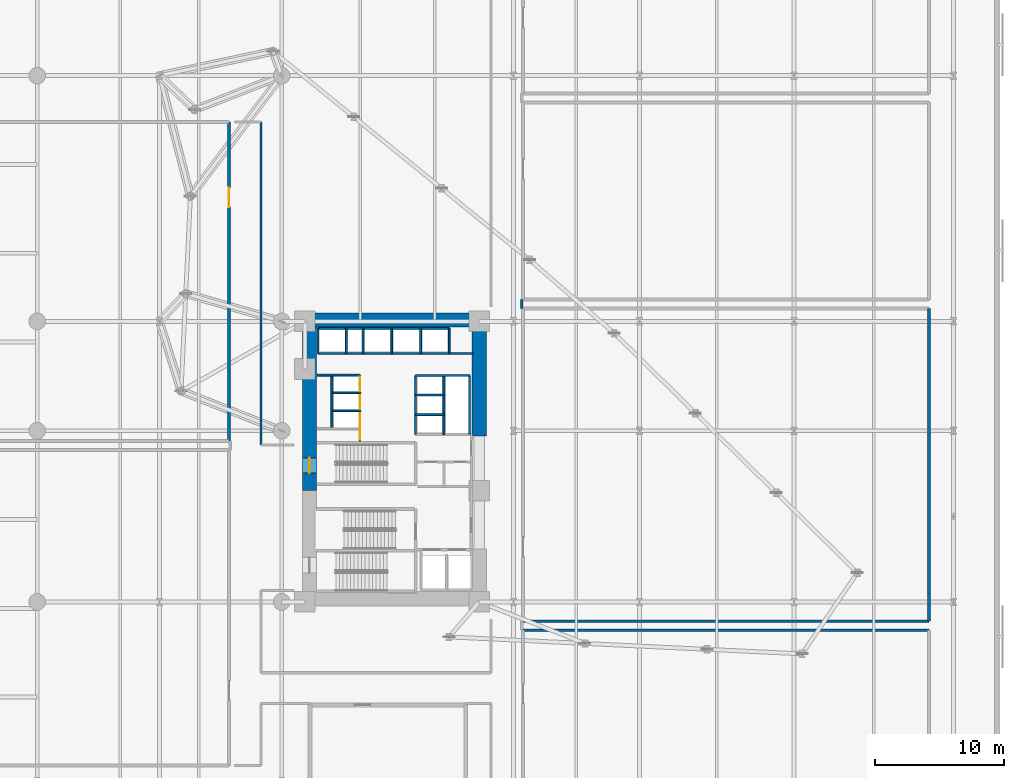
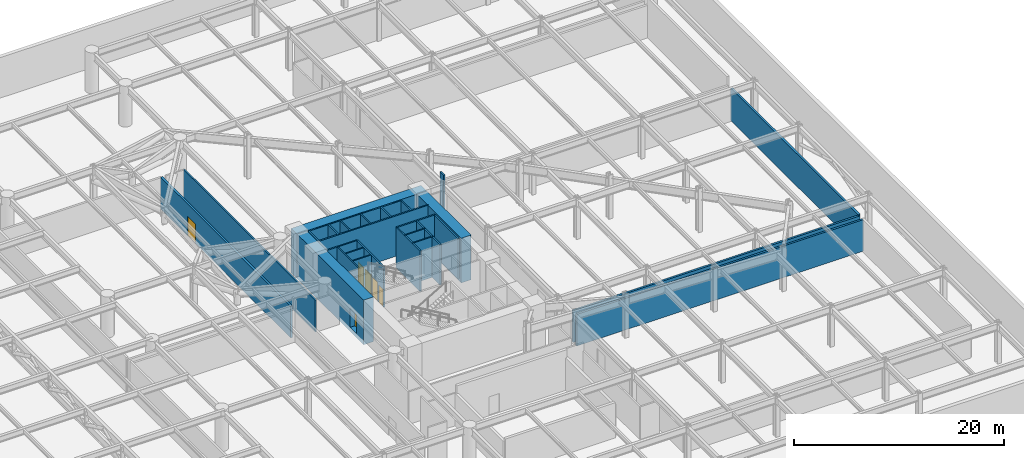
# One storey, part 26 of 40: 29 walls, 6 doors, 6 openings.
"""IFC4 building model written with IfcOpenShell, lengths in metres."""

from ifc_helpers import new_model, si_unit, direction, frame, frame_2d, origin, place, context, subcontext, project, spatial, rectangle, extrude, material, layer, layer_set, type_object, element, fill, save


model = new_model("IFC4")

# Units and contexts
model_context = context("Model", 3, precision=1e-05, world=origin(), true_north=direction((0.0, 1.0)))
body_context = subcontext(model_context, "Body", "Model", "MODEL_VIEW")
ifc_project = project(units=[si_unit("LENGTHUNIT", "METRE"), si_unit("AREAUNIT", "SQUARE_METRE"), si_unit("VOLUMEUNIT", "CUBIC_METRE"), si_unit("PLANEANGLEUNIT", "RADIAN"), si_unit("MASSUNIT", "GRAM", prefix="KILO")], contexts=[model_context])

# Site, building, storey
site_placement = place(None, origin())
site = spatial("IfcSite", under=ifc_project, at=site_placement, CompositionType="ELEMENT")
building_placement = place(site_placement, origin())
building = spatial("IfcBuilding", under=site, at=building_placement, Name="Narakoshi Arena Tower", CompositionType="ELEMENT")
storey_placement = place(building_placement, frame((0.0, 0.0, 21.60009765625)))
storey = spatial("IfcBuildingStorey", under=building, at=storey_placement, Name="L05", CompositionType="ELEMENT", Elevation=21.60009765625)

# Walls
ifc_material_1 = material(Name="Concrete C40/50", Category="concrete")
ifc_layer_1 = layer(ifc_material_1, 0.219970703125)
ifc_layer_set_1 = layer_set([ifc_layer_1], Name="Concrete C40/50")
wall_type_1 = type_object("IfcWallType", Name="WL-COMP-220", PredefinedType="SOLIDWALL", material=ifc_layer_set_1)
for number, where, z_axis, x_axis, name in (
    (1, (120.5, 32.5, 0.0), (0.0, 0.0, 1.0), (-1.0, 0.0, 0.0), "L05 Arena Roof MEP AHU Plant Room Wall N"),
    (2, (88.949951171875, 33.199951171875, 0.0), (0.0, 0.0, 1.0), (1.0, 0.0, 0.0), "L05 Mechanical AHU Ventilation Plant Room 2 Wall S"),
):
    element("IfcWall", number, at=place(storey_placement, frame(where, z_axis=z_axis, x_axis=x_axis)), inside=storey, type_object=wall_type_1, Name=name, PredefinedType="SOLIDWALL", context=body_context, shape_type="SweptSolid", body=[
        extrude(rectangle(XDim=31.550048828125, YDim=0.219970703125, at=frame_2d((15.77490234375, 0.0))), origin(), (0.0, 0.0, 1.0), 3.677001953125),
    ])
wall_1_placement = place(storey_placement, frame((120.5, 33.199951171875, 0.0), z_axis=(0.0, 0.0, 1.0), x_axis=(0.0, 1.0, 0.0)))
element("IfcWall", 3, at=wall_1_placement, inside=storey, type_object=wall_type_1, Name="L05 Mechanical AHU Ventilation Plant Room 2 Wall E", PredefinedType="SOLIDWALL", context=body_context, shape_type="SweptSolid", body=[
    extrude(rectangle(XDim=24.300048828125, YDim=0.219970703125, at=frame_2d((12.14990234375, 0.0))), origin(), (0.0, 0.0, 1.0), 3.784912109375),
])

# Wall, opening, door
wall_2_placement = place(storey_placement, frame((66.10009765625, 47.199951171875, 0.0), z_axis=(0.0, 0.0, 1.0), x_axis=(0.0, 1.0, 0.0)))
wall_2 = element("IfcWall", 4, at=wall_2_placement, inside=storey, type_object=wall_type_1, Name="L05 Transfer Truss Equipment Plant Room Wall E", PredefinedType="SOLIDWALL", context=body_context, shape_type="SweptSolid", body=[
    extrude(rectangle(XDim=24.800048828125, YDim=0.219970703125, at=frame_2d((12.39990234375, 0.0))), origin(), (0.0, 0.0, 1.0), 3.677001953125),
])
opening_1_placement = place(wall_2_placement, frame((18.174072265625, 0.0, 0.0)))
opening_1 = element("IfcOpeningElement", 5, at=opening_1_placement, cuts=wall_2, Name="Opening D-09", PredefinedType="OPENING", context=body_context, shape_type="SweptSolid", body=[
    extrude(rectangle(XDim=1.5, YDim=2.25, at=frame_2d((0.75, 1.125))), frame((0.0, 0.119873046875, 0.0), z_axis=(0.0, -1.0, 0.0), x_axis=(1.0, 0.0, 0.0)), (0.0, 0.0, 1.0), 0.239990234375),
])
ifc_material_2 = material(Name="Painted galvanized steel", Category="steel")
door_type_1 = type_object("IfcDoorType", Name="DR-PLT-1500", OperationType="DOUBLE_DOOR_SINGLE_SWING", PredefinedType="DOOR", material=ifc_material_2)
door_1_placement = place(opening_1_placement, frame((1.5, 0.0, 0.0), z_axis=(0.0, 0.0, 1.0), x_axis=(-1.0, 0.0, 0.0)))
door_1 = element("IfcDoor", 6, at=door_1_placement, inside=storey, type_object=door_type_1, Name="DR-L05-019", OperationType="DOUBLE_DOOR_SINGLE_SWING", OverallHeight=2.25, OverallWidth=1.5, PredefinedType="DOOR", context=body_context, shape_type="SweptSolid", body=[
    extrude(rectangle(XDim=1.5, YDim=2.25, at=frame_2d((0.75, 1.125))), frame((0.0, 0.02490234375, 0.0), z_axis=(0.0, -1.0, 0.0), x_axis=(1.0, 0.0, 0.0)), (0.0, 0.0, 1.0), 0.050048828125),
])
fill(opening_1, door_1)

ifc_material_3 = material(Name="Concrete C60/75", Category="concrete")
ifc_layer_2 = layer(ifc_material_3, 1.10009765625)
ifc_layer_set_2 = layer_set([ifc_layer_2], Name="Concrete C60/75")
wall_type_2 = type_object("IfcWallType", Name="WL-CORE-1100", PredefinedType="SHEAR", material=ifc_layer_set_2)
wall_3_placement = place(storey_placement, frame((72.35009765625, 43.35009765625, -0.5), z_axis=(0.0, 0.0, 1.0), x_axis=(0.0, 1.0, 0.0)))
wall_3 = element("IfcWall", 7, at=wall_3_placement, inside=storey, type_object=wall_type_2, Name="L05 Main Core Shear Wall CW-MN-W", PredefinedType="SHEAR", context=body_context, shape_type="SweptSolid", body=[
    extrude(rectangle(XDim=12.699951171875, YDim=1.10009765625, at=frame_2d((6.35009765625, 0.0))), origin(), (0.0, 0.0, 1.0), 5.199951171875),
])
opening_2_placement = place(wall_3_placement, frame((1.35009765625, 0.0, 0.5)))
opening_2 = element("IfcOpeningElement", 8, at=opening_2_placement, cuts=wall_3, Name="Opening D-03", PredefinedType="OPENING", context=body_context, shape_type="SweptSolid", body=[
    extrude(rectangle(XDim=1.199951171875, YDim=2.199951171875, at=frame_2d((0.60009765625, 1.10009765625))), frame((0.0, 0.56005859375, 0.0), z_axis=(0.0, -1.0, 0.0), x_axis=(1.0, 0.0, 0.0)), (0.0, 0.0, 1.0), 1.1201171875),
])
door_type_2 = type_object("IfcDoorType", Name="DR-STR-1200", OperationType="NOTDEFINED", PredefinedType="USERDEFINED", material=ifc_material_2)
door_2_placement = place(opening_2_placement, frame((1.199951171875, 0.0, 0.0), z_axis=(0.0, 0.0, 1.0), x_axis=(-1.0, 0.0, 0.0)))
door_2 = element("IfcDoor", 9, at=door_2_placement, inside=storey, type_object=door_type_2, Name="DR-L05-006", ObjectType="EXITDOOR", OperationType="SINGLE_SWING_LEFT", OverallHeight=2.199951171875, OverallWidth=1.199951171875, PredefinedType="USERDEFINED", context=body_context, shape_type="SweptSolid", body=[
    extrude(rectangle(XDim=1.199951171875, YDim=2.199951171875, at=frame_2d((0.60009765625, 1.10009765625))), frame((0.0, 0.02490234375, 0.0), z_axis=(0.0, -1.0, 0.0), x_axis=(1.0, 0.0, 0.0)), (0.0, 0.0, 1.0), 0.050048828125),
])
fill(opening_2, door_2)

# Walls
wall_4_placement = place(storey_placement, frame((71.800048828125, 56.60009765625, -0.5), z_axis=(0.0, 0.0, 1.0), x_axis=(1.0, 0.0, 0.0)))
element("IfcWall", 10, at=wall_4_placement, inside=storey, type_object=wall_type_2, Name="L05 Main Core Shear Wall CW-MN-N", PredefinedType="SHEAR", context=body_context, shape_type="SweptSolid", body=[
    extrude(rectangle(XDim=14.300048828125, YDim=1.10009765625, at=frame_2d((7.14990234375, 0.0))), origin(), (0.0, 0.0, 1.0), 5.199951171875),
])
wall_5_placement = place(storey_placement, frame((85.550048828125, 47.60009765625, -0.5), z_axis=(0.0, 0.0, 1.0), x_axis=(0.0, 1.0, 0.0)))
element("IfcWall", 11, at=wall_5_placement, inside=storey, type_object=wall_type_2, Name="L05 Main Core Shear Wall CW-MN-E", PredefinedType="SHEAR", context=body_context, shape_type="SweptSolid", body=[
    extrude(rectangle(XDim=8.449951171875, YDim=1.10009765625, at=frame_2d((4.22509765625, 0.0))), origin(), (0.0, 0.0, 1.0), 5.199951171875),
])
ifc_material_4 = material(Name="Gypsum plasterboard fire-rated partition")
ifc_layer_3 = layer(ifc_material_4, 0.1650390625)
ifc_layer_set_3 = layer_set([ifc_layer_3], Name="Gypsum plasterboard fire-rated partition")
wall_type_3 = type_object("IfcWallType", Name="WL-CORR-165", PredefinedType="PARTITIONING", material=ifc_layer_set_3)
wall_6_placement = place(storey_placement, frame((68.60009765625, 72.0, 0.0), z_axis=(0.0, 0.0, 1.0), x_axis=(0.0, -1.0, 0.0)))
element("IfcWall", 12, at=wall_6_placement, inside=storey, type_object=wall_type_3, Name="L05 Plant Corridor Enclosure 02-2", PredefinedType="PARTITIONING", context=body_context, shape_type="SweptSolid", body=[
    extrude(rectangle(XDim=25.10009765625, YDim=0.1650390625, at=frame_2d((12.550048828125, 0.0))), origin(), (0.0, 0.0, 1.0), 3.677001953125),
])
wall_7_placement = place(storey_placement, frame((88.85009765625, 58.199951171875, 0.0), z_axis=(0.0, 0.0, 1.0), x_axis=(0.0, -1.0, 0.0)))
element("IfcWall", 13, at=wall_7_placement, inside=storey, type_object=wall_type_3, Name="L05 Plant Corridor Enclosure 06-1", PredefinedType="PARTITIONING", context=body_context, shape_type="SweptSolid", body=[
    extrude(rectangle(XDim=0.699951171875, YDim=0.1650390625, at=frame_2d((0.35009765625, 0.0))), origin(), (0.0, 0.0, 1.0), 4.699951171875),
])
ifc_layer_4 = layer(ifc_material_1, 0.280029296875)
ifc_layer_set_4 = layer_set([ifc_layer_4], Name="Concrete C40/50")
wall_type_4 = type_object("IfcWallType", Name="WL-RISER-280", PredefinedType="PLUMBINGWALL", material=ifc_layer_set_4)
for number, where, z_axis, x_axis, name in (
    (14, (74.14990234375, 49.550048828125, 0.0), (0.0, 0.0, 1.0), (1.0, 0.0, 0.0), "L05 Core Wall LR-D1"),
    (15, (74.14990234375, 50.949951171875, 0.0), (0.0, 0.0, 1.0), (1.0, 0.0, 0.0), "L05 Core Wall LR-D2"),
):
    element("IfcWall", number, at=place(storey_placement, frame(where, z_axis=z_axis, x_axis=x_axis)), inside=storey, type_object=wall_type_4, Name=name, PredefinedType="PLUMBINGWALL", context=body_context, shape_type="SweptSolid", body=[
        extrude(rectangle(XDim=2.0400390625, YDim=0.139892578125, at=frame_2d((1.02001953125, 0.0))), origin(), (0.0, 0.0, 1.0), 4.699951171875),
    ])
wall_8_placement = place(storey_placement, frame((74.10009765625, 48.159912109375, 0.0), z_axis=(0.0, 0.0, 1.0), x_axis=(0.0, 1.0, 0.0)))
element("IfcWall", 16, at=wall_8_placement, inside=storey, type_object=wall_type_4, Name="L05 Core Wall LR-W", PredefinedType="PLUMBINGWALL", context=body_context, shape_type="SweptSolid", body=[
    extrude(rectangle(XDim=4.16015625, YDim=0.139892578125, at=frame_2d((2.080078125, 0.0))), origin(), (0.0, 0.0, 1.0), 4.699951171875),
])
for number, where, z_axis, x_axis, name in (
    (17, (80.60009765625, 49.260009765625, 0.0), (0.0, 0.0, 1.0), (1.0, 0.0, 0.0), "L05 Core Wall MR-D1"),
    (18, (80.60009765625, 50.780029296875, 0.0), (0.0, 0.0, 1.0), (1.0, 0.0, 0.0), "L05 Core Wall MR-D2"),
):
    element("IfcWall", number, at=place(storey_placement, frame(where, z_axis=z_axis, x_axis=x_axis)), inside=storey, type_object=wall_type_4, Name=name, PredefinedType="PLUMBINGWALL", context=body_context, shape_type="SweptSolid", body=[
        extrude(rectangle(XDim=2.199951171875, YDim=0.14990234375, at=frame_2d((1.10009765625, 0.0))), origin(), (0.0, 0.0, 1.0), 4.699951171875),
    ])
wall_9_placement = place(storey_placement, frame((82.800048828125, 47.699951171875, 0.0), z_axis=(0.0, 0.0, 1.0), x_axis=(0.0, 1.0, 0.0)))
element("IfcWall", 19, at=wall_9_placement, inside=storey, type_object=wall_type_4, Name="L05 Core Wall MR-E", PredefinedType="PLUMBINGWALL", context=body_context, shape_type="SweptSolid", body=[
    extrude(rectangle(XDim=4.60009765625, YDim=0.14990234375, at=frame_2d((2.300048828125, 0.0))), origin(), (0.0, 0.0, 1.0), 4.699951171875),
])
for number, where, z_axis, x_axis, name in (
    (20, (73.02001953125, 54.02001953125, 0.0), (0.0, 0.0, 1.0), (0.0, 1.0, 0.0), "L05 Core Wall OBS-W"),
    (21, (75.219970703125, 54.02001953125, 0.0), (0.0, 0.0, 1.0), (0.0, 1.0, 0.0), "L05 Core Wall OBS-M"),
):
    element("IfcWall", number, at=place(storey_placement, frame(where, z_axis=z_axis, x_axis=x_axis)), inside=storey, type_object=wall_type_4, Name=name, PredefinedType="PLUMBINGWALL", context=body_context, shape_type="SweptSolid", body=[
        extrude(rectangle(XDim=1.93994140625, YDim=0.14990234375, at=frame_2d((0.969970703125, 0.0))), origin(), (0.0, 0.0, 1.0), 4.699951171875),
    ])
for number, where, z_axis, x_axis, name in (
    (22, (78.75, 54.02001953125, 0.0), (0.0, 0.0, 1.0), (0.0, 1.0, 0.0), "L05 Core Wall HR-D1"),
    (23, (81.0, 54.02001953125, 0.0), (0.0, 0.0, 1.0), (0.0, 1.0, 0.0), "L05 Core Wall HR-D2"),
):
    element("IfcWall", number, at=place(storey_placement, frame(where, z_axis=z_axis, x_axis=x_axis)), inside=storey, type_object=wall_type_4, Name=name, PredefinedType="PLUMBINGWALL", context=body_context, shape_type="SweptSolid", body=[
        extrude(rectangle(XDim=1.9599609375, YDim=0.14990234375, at=frame_2d((0.97998046875, 0.0))), origin(), (0.0, 0.0, 1.0), 4.699951171875),
    ])

# Wall, openings, doors
ifc_material_5 = material(Name="Concrete C50/60", Category="concrete")
ifc_layer_5 = layer(ifc_material_5, 0.35009765625)
ifc_layer_set_5 = layer_set([ifc_layer_5], Name="Concrete C50/60")
wall_type_5 = type_object("IfcWallType", Name="WL-SHAFT-350", PredefinedType="SOLIDWALL", material=ifc_layer_set_5)
wall_10_placement = place(storey_placement, frame((76.280029296875, 47.179931640625, 0.0), z_axis=(0.0, 0.0, 1.0), x_axis=(0.0, 1.0, 0.0)))
wall_10 = element("IfcWall", 24, at=wall_10_placement, inside=storey, type_object=wall_type_5, Name="L05 Core Wall LR-E", PredefinedType="SOLIDWALL", context=body_context, shape_type="SweptSolid", body=[
    extrude(rectangle(XDim=5.14013671875, YDim=0.159912109375, at=frame_2d((2.570068359375, 0.0))), origin(), (0.0, 0.0, 1.0), 4.699951171875),
])
opening_3_placement = place(wall_10_placement, frame((1.10009765625, 0.0, 0.0)))
opening_3 = element("IfcOpeningElement", 25, at=opening_3_placement, cuts=wall_10, Name="Opening LD-01", PredefinedType="OPENING", context=body_context, shape_type="SweptSolid", body=[
    extrude(rectangle(XDim=1.10009765625, YDim=2.25, at=frame_2d((0.550048828125, 1.125))), frame((0.0, 0.08984375, 0.0), z_axis=(0.0, -1.0, 0.0), x_axis=(1.0, 0.0, 0.0)), (0.0, 0.0, 1.0), 0.179931640625),
])
opening_4_placement = place(wall_10_placement, frame((2.5, 0.0, 0.0)))
opening_4 = element("IfcOpeningElement", 26, at=opening_4_placement, cuts=wall_10, Name="Opening LD-01", PredefinedType="OPENING", context=body_context, shape_type="SweptSolid", body=[
    extrude(rectangle(XDim=1.10009765625, YDim=2.25, at=frame_2d((0.550048828125, 1.125))), frame((0.0, 0.08984375, 0.0), z_axis=(0.0, -1.0, 0.0), x_axis=(1.0, 0.0, 0.0)), (0.0, 0.0, 1.0), 0.179931640625),
])
opening_5_placement = place(wall_10_placement, frame((3.89990234375, 0.0, 0.0)))
opening_5 = element("IfcOpeningElement", 27, at=opening_5_placement, cuts=wall_10, Name="Opening LD-01", PredefinedType="OPENING", context=body_context, shape_type="SweptSolid", body=[
    extrude(rectangle(XDim=1.10009765625, YDim=2.25, at=frame_2d((0.550048828125, 1.125))), frame((0.0, 0.08984375, 0.0), z_axis=(0.0, -1.0, 0.0), x_axis=(1.0, 0.0, 0.0)), (0.0, 0.0, 1.0), 0.179931640625),
])
opening_6_placement = place(wall_10_placement, frame((0.1201171875, 0.0, 0.0)))
opening_6 = element("IfcOpeningElement", 28, at=opening_6_placement, cuts=wall_10, Name="Opening D-10", PredefinedType="OPENING", context=body_context, shape_type="SweptSolid", body=[
    extrude(rectangle(XDim=0.85009765625, YDim=2.050048828125, at=frame_2d((0.425048828125, 1.02490234375))), frame((0.0, 0.08984375, 0.0), z_axis=(0.0, -1.0, 0.0), x_axis=(1.0, 0.0, 0.0)), (0.0, 0.0, 1.0), 0.179931640625),
])
ifc_material_6 = material(Name="Brushed bronze stainless steel", Category="steel")
door_type_3 = type_object("IfcDoorType", Name="DR-LFT-1100", OperationType="DOUBLE_DOOR_SLIDING", PredefinedType="DOOR", material=ifc_material_6)
door_3_placement = place(opening_3_placement, origin())
door_3 = element("IfcDoor", 29, at=door_3_placement, inside=storey, type_object=door_type_3, Name="DR-L05-010", OperationType="DOUBLE_DOOR_SLIDING", OverallHeight=2.25, OverallWidth=1.10009765625, PredefinedType="DOOR", context=body_context, shape_type="SweptSolid", body=[
    extrude(rectangle(XDim=1.10009765625, YDim=2.25, at=frame_2d((0.550048828125, 1.125))), frame((0.0, 0.02490234375, 0.0), z_axis=(0.0, -1.0, 0.0), x_axis=(1.0, 0.0, 0.0)), (0.0, 0.0, 1.0), 0.050048828125),
])
fill(opening_3, door_3)
door_4_placement = place(opening_4_placement, origin())
door_4 = element("IfcDoor", 30, at=door_4_placement, inside=storey, type_object=door_type_3, Name="DR-L05-011", OperationType="DOUBLE_DOOR_SLIDING", OverallHeight=2.25, OverallWidth=1.10009765625, PredefinedType="DOOR", context=body_context, shape_type="SweptSolid", body=[
    extrude(rectangle(XDim=1.10009765625, YDim=2.25, at=frame_2d((0.550048828125, 1.125))), frame((0.0, 0.02490234375, 0.0), z_axis=(0.0, -1.0, 0.0), x_axis=(1.0, 0.0, 0.0)), (0.0, 0.0, 1.0), 0.050048828125),
])
fill(opening_4, door_4)
door_5_placement = place(opening_5_placement, origin())
door_5 = element("IfcDoor", 31, at=door_5_placement, inside=storey, type_object=door_type_3, Name="DR-L05-012", OperationType="DOUBLE_DOOR_SLIDING", OverallHeight=2.25, OverallWidth=1.10009765625, PredefinedType="DOOR", context=body_context, shape_type="SweptSolid", body=[
    extrude(rectangle(XDim=1.10009765625, YDim=2.25, at=frame_2d((0.550048828125, 1.125))), frame((0.0, 0.02490234375, 0.0), z_axis=(0.0, -1.0, 0.0), x_axis=(1.0, 0.0, 0.0)), (0.0, 0.0, 1.0), 0.050048828125),
])
fill(opening_5, door_5)
door_type_4 = type_object("IfcDoorType", Name="DR-RSR-850", OperationType="NOTDEFINED", PredefinedType="DOOR", material=ifc_material_2)
door_6_placement = place(opening_6_placement, frame((0.85009765625, 0.0, 0.0), z_axis=(0.0, 0.0, 1.0), x_axis=(-1.0, 0.0, 0.0)))
door_6 = element("IfcDoor", 32, at=door_6_placement, inside=storey, type_object=door_type_4, Name="DR-L05-013", OperationType="SINGLE_SWING_LEFT", OverallHeight=2.050048828125, OverallWidth=0.85009765625, PredefinedType="DOOR", context=body_context, shape_type="SweptSolid", body=[
    extrude(rectangle(XDim=0.85009765625, YDim=2.050048828125, at=frame_2d((0.425048828125, 1.02490234375))), frame((0.0, 0.02490234375, 0.0), z_axis=(0.0, -1.0, 0.0), x_axis=(1.0, 0.0, 0.0)), (0.0, 0.0, 1.0), 0.050048828125),
])
fill(opening_6, door_6)

# Walls
wall_11_placement = place(storey_placement, frame((72.949951171875, 52.320068359375, 0.0), z_axis=(0.0, 0.0, 1.0), x_axis=(1.0, 0.0, 0.0)))
element("IfcWall", 33, at=wall_11_placement, inside=storey, type_object=wall_type_5, Name="L05 Core Wall LR-N", PredefinedType="SOLIDWALL", context=body_context, shape_type="SweptSolid", body=[
    extrude(rectangle(XDim=3.330078125, YDim=0.14990234375, at=frame_2d((1.6650390625, 0.0))), origin(), (0.0, 0.0, 1.0), 4.699951171875),
])
wall_12_placement = place(storey_placement, frame((80.60009765625, 47.699951171875, 0.0), z_axis=(0.0, 0.0, 1.0), x_axis=(0.0, 1.0, 0.0)))
element("IfcWall", 34, at=wall_12_placement, inside=storey, type_object=wall_type_5, Name="L05 Core Wall MR-W", PredefinedType="SOLIDWALL", context=body_context, shape_type="SweptSolid", body=[
    extrude(rectangle(XDim=4.60009765625, YDim=0.159912109375, at=frame_2d((2.300048828125, 0.0))), origin(), (0.0, 0.0, 1.0), 4.699951171875),
])
wall_13_placement = place(storey_placement, frame((80.60009765625, 52.300048828125, 0.0), z_axis=(0.0, 0.0, 1.0), x_axis=(1.0, 0.0, 0.0)))
element("IfcWall", 35, at=wall_13_placement, inside=storey, type_object=wall_type_5, Name="L05 Core Wall MR-N", PredefinedType="SOLIDWALL", context=body_context, shape_type="SweptSolid", body=[
    extrude(rectangle(XDim=4.219970703125, YDim=0.159912109375, at=frame_2d((2.10986328125, 0.0))), origin(), (0.0, 0.0, 1.0), 4.699951171875),
])
wall_14_placement = place(storey_placement, frame((84.780029296875, 47.699951171875, 0.0), z_axis=(0.0, 0.0, 1.0), x_axis=(0.0, 1.0, 0.0)))
element("IfcWall", 36, at=wall_14_placement, inside=storey, type_object=wall_type_5, Name="L05 Core Wall MR-E2", PredefinedType="SOLIDWALL", context=body_context, shape_type="SweptSolid", body=[
    extrude(rectangle(XDim=4.60009765625, YDim=0.159912109375, at=frame_2d((2.300048828125, 0.0))), origin(), (0.0, 0.0, 1.0), 4.699951171875),
])
wall_15_placement = place(storey_placement, frame((73.02001953125, 54.02001953125, 0.0), z_axis=(0.0, 0.0, 1.0), x_axis=(1.0, 0.0, 0.0)))
element("IfcWall", 37, at=wall_15_placement, inside=storey, type_object=wall_type_5, Name="L05 Core Wall NSHF-S", PredefinedType="SOLIDWALL", context=body_context, shape_type="SweptSolid", body=[
    extrude(rectangle(XDim=12.080078125, YDim=0.159912109375, at=frame_2d((6.0400390625, 0.0))), origin(), (0.0, 0.0, 1.0), 4.699951171875),
])
wall_16_placement = place(storey_placement, frame((73.02001953125, 55.9599609375, 0.0), z_axis=(0.0, 0.0, 1.0), x_axis=(1.0, 0.0, 0.0)))
element("IfcWall", 38, at=wall_16_placement, inside=storey, type_object=wall_type_5, Name="L05 Core Wall OBS-N", PredefinedType="SOLIDWALL", context=body_context, shape_type="SweptSolid", body=[
    extrude(rectangle(XDim=3.5, YDim=0.14990234375, at=frame_2d((1.75, 0.0))), origin(), (0.0, 0.0, 1.0), 4.699951171875),
])
wall_17_placement = place(storey_placement, frame((76.52001953125, 54.02001953125, 0.0), z_axis=(0.0, 0.0, 1.0), x_axis=(0.0, 1.0, 0.0)))
element("IfcWall", 39, at=wall_17_placement, inside=storey, type_object=wall_type_5, Name="L05 Core Wall OBS-E", PredefinedType="SOLIDWALL", context=body_context, shape_type="SweptSolid", body=[
    extrude(rectangle(XDim=1.93994140625, YDim=0.14990234375, at=frame_2d((0.969970703125, 0.0))), origin(), (0.0, 0.0, 1.0), 4.699951171875),
])
wall_18_placement = place(storey_placement, frame((83.219970703125, 54.02001953125, 0.0), z_axis=(0.0, 0.0, 1.0), x_axis=(0.0, 1.0, 0.0)))
element("IfcWall", 40, at=wall_18_placement, inside=storey, type_object=wall_type_5, Name="L05 Core Wall HR-E", PredefinedType="SOLIDWALL", context=body_context, shape_type="SweptSolid", body=[
    extrude(rectangle(XDim=1.9599609375, YDim=0.14990234375, at=frame_2d((0.97998046875, 0.0))), origin(), (0.0, 0.0, 1.0), 4.699951171875),
])
wall_19_placement = place(storey_placement, frame((76.52001953125, 55.9599609375, 0.0), z_axis=(0.0, 0.0, 1.0), x_axis=(1.0, 0.0, 0.0)))
element("IfcWall", 41, at=wall_19_placement, inside=storey, type_object=wall_type_5, Name="L05 Core Wall HR-N", PredefinedType="SOLIDWALL", context=body_context, shape_type="SweptSolid", body=[
    extrude(rectangle(XDim=6.699951171875, YDim=0.14990234375, at=frame_2d((3.35009765625, 0.0))), origin(), (0.0, 0.0, 1.0), 4.699951171875),
])

save(model, "model.ifc")
